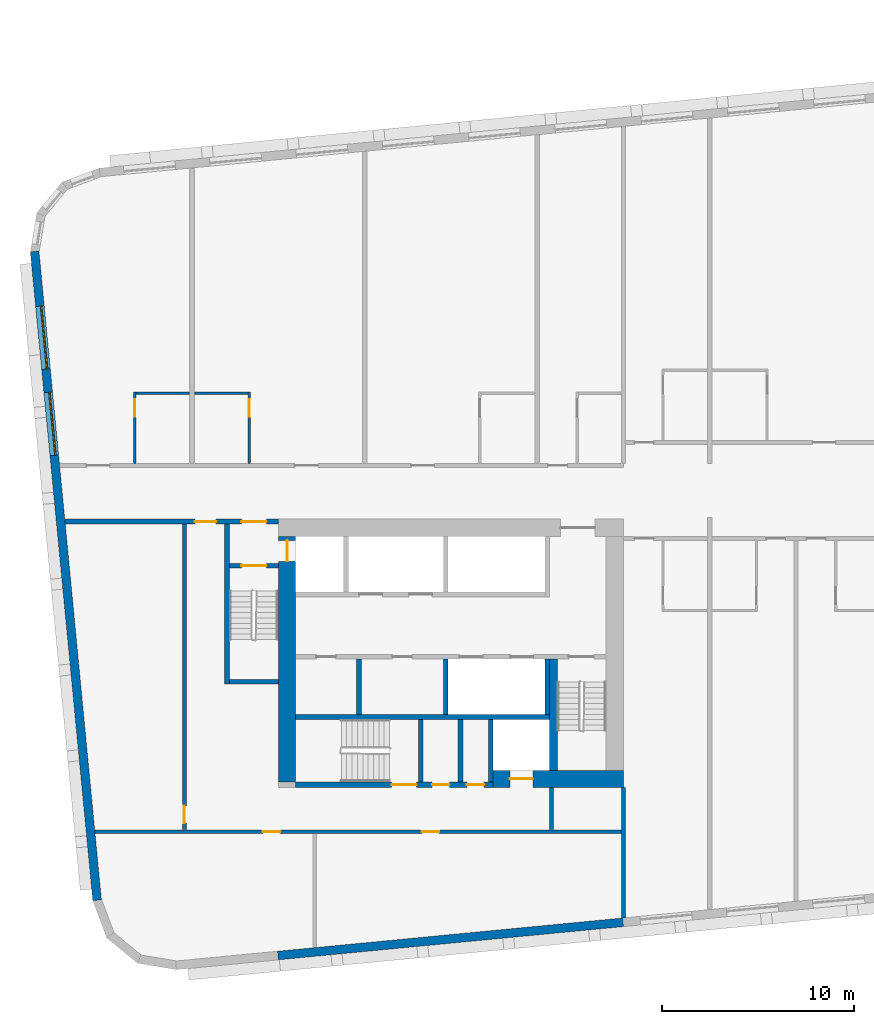
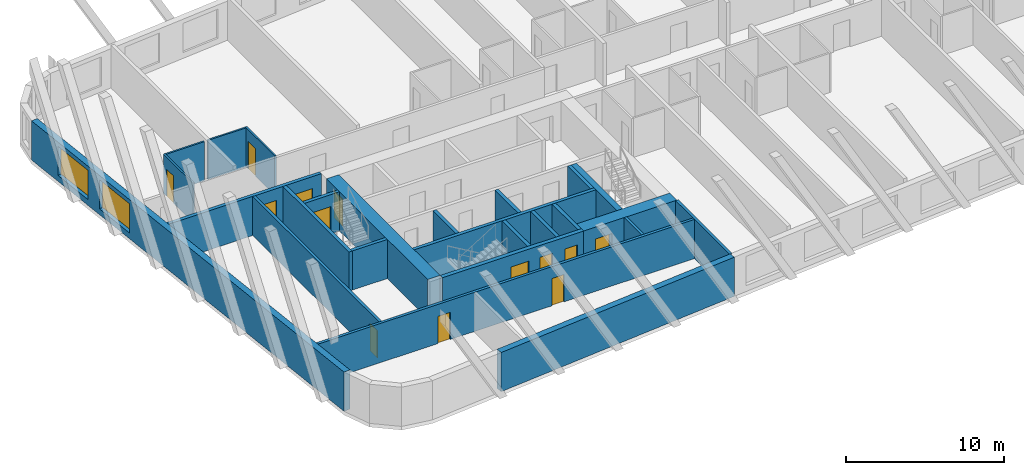
# One storey, part 2 of 13: 25 walls, 13 doors, 2 windows, 15 openings.
"""IFC4 building model written with IfcOpenShell, lengths in metres."""

from ifc_helpers import new_model, si_unit, direction, frame, frame_2d, origin, place, context, subcontext, project, spatial, rectangle, extrude, material, layer, layer_set, type_object, element, fill, save


model = new_model("IFC4")

# Units and contexts
model_context = context("Model", 3, precision=1e-05, world=origin(), true_north=direction((0.0, 1.0)))
body_context = subcontext(model_context, "Body", "Model", "MODEL_VIEW")
ifc_project = project(units=[si_unit("LENGTHUNIT", "METRE"), si_unit("AREAUNIT", "SQUARE_METRE"), si_unit("VOLUMEUNIT", "CUBIC_METRE"), si_unit("PLANEANGLEUNIT", "RADIAN"), si_unit("MASSUNIT", "GRAM", prefix="KILO")], contexts=[model_context])

# Site, building, storey
site_placement = place(None, origin())
site = spatial("IfcSite", under=ifc_project, at=site_placement, CompositionType="ELEMENT")
building_placement = place(site_placement, origin())
building = spatial("IfcBuilding", under=site, at=building_placement, Name="Kajstack Hotel Tower", CompositionType="ELEMENT")
storey_placement = place(building_placement, frame((0.0, 0.0, 186.699951171875)))
storey = spatial("IfcBuildingStorey", under=building, at=storey_placement, Name="L44", CompositionType="ELEMENT", Elevation=186.699951171875)

# Wall, opening, door
ifc_material_1 = material(Name="Concrete C60/75", Category="concrete")
ifc_layer_1 = layer(ifc_material_1, 0.89990234375)
ifc_layer_set_1 = layer_set([ifc_layer_1], Name="Core wall 900")
wall_type_1 = type_object("IfcWallType", Name="Core wall 900", PredefinedType="SHEAR", material=ifc_layer_set_1)
wall_1_placement = place(storey_placement, frame((-20.300048828125, -15.050048828125, 0.0), z_axis=(0.0, 0.0, 1.0), x_axis=(1.0, 0.0, 0.0)))
wall_1 = element("IfcWall", 1, at=wall_1_placement, inside=storey, type_object=wall_type_1, Name="Core wall W RS", PredefinedType="SHEAR", context=body_context, shape_type="SweptSolid", body=[
    extrude(rectangle(XDim=6.800048828125, YDim=0.89990234375, at=frame_2d((3.39990234375, 0.0))), origin(), (0.0, 0.0, 1.0), 3.02001953125),
])
opening_1_placement = place(wall_1_placement, frame((0.875, 0.0, 0.0)))
opening_1 = element("IfcOpeningElement", 2, at=opening_1_placement, cuts=wall_1, Name="Opening LD-SV1", PredefinedType="OPENING", context=body_context, shape_type="SweptSolid", body=[
    extrude(rectangle(XDim=1.199951171875, YDim=2.10009765625, at=frame_2d((0.60009765625, 1.050048828125))), frame((0.0, 0.4599609375, 0.0), z_axis=(0.0, -1.0, 0.0), x_axis=(1.0, 0.0, 0.0)), (0.0, 0.0, 1.0), 0.919921875),
])
ifc_material_2 = material(Name="Stainless steel", Category="steel")
door_type_1 = type_object("IfcDoorType", Name="Lift landing door 1200", OperationType="SLIDING_TO_LEFT", PredefinedType="DOOR", material=ifc_material_2)
door_1_placement = place(opening_1_placement, origin())
door_1 = element("IfcDoor", 3, at=door_1_placement, inside=storey, type_object=door_type_1, Name="Landing door SV1", OperationType="SLIDING_TO_LEFT", OverallHeight=2.10009765625, OverallWidth=1.199951171875, PredefinedType="DOOR", context=body_context, shape_type="SweptSolid", body=[
    extrude(rectangle(XDim=1.199951171875, YDim=2.10009765625, at=frame_2d((0.60009765625, 1.050048828125))), frame((0.0, 0.02490234375, 0.0), z_axis=(0.0, -1.0, 0.0), x_axis=(1.0, 0.0, 0.0)), (0.0, 0.0, 1.0), 0.050048828125),
])
fill(opening_1, door_1)

wall_2_placement = place(storey_placement, frame((-31.050048828125, -15.199951171875, 0.0), z_axis=(0.0, 0.0, 1.0), x_axis=(0.0, 1.0, 0.0)))
wall_2 = element("IfcWall", 4, at=wall_2_placement, inside=storey, type_object=wall_type_1, Name="Core wall W RW", PredefinedType="SHEAR", context=body_context, shape_type="SweptSolid", body=[
    extrude(rectangle(XDim=12.800048828125, YDim=0.89990234375, at=frame_2d((6.39990234375, 0.0))), origin(), (0.0, 0.0, 1.0), 3.02001953125),
])
opening_2_placement = place(wall_2_placement, frame((11.5, 0.0, 0.0)))
opening_2 = element("IfcOpeningElement", 5, at=opening_2_placement, cuts=wall_2, Name="Opening LD-FF1", PredefinedType="OPENING", context=body_context, shape_type="SweptSolid", body=[
    extrude(rectangle(XDim=1.10009765625, YDim=2.10009765625, at=frame_2d((0.550048828125, 1.050048828125))), frame((0.0, 0.4599609375, 0.0), z_axis=(0.0, -1.0, 0.0), x_axis=(1.0, 0.0, 0.0)), (0.0, 0.0, 1.0), 0.919921875),
])
door_type_2 = type_object("IfcDoorType", Name="Fire-fighting lift landing door 1100", OperationType="SLIDING_TO_LEFT", PredefinedType="DOOR", material=ifc_material_2)
door_2_placement = place(opening_2_placement, origin())
door_2 = element("IfcDoor", 6, at=door_2_placement, inside=storey, type_object=door_type_2, Name="Landing door FF1", OperationType="SLIDING_TO_RIGHT", OverallHeight=2.10009765625, OverallWidth=1.10009765625, PredefinedType="DOOR", context=body_context, shape_type="SweptSolid", body=[
    extrude(rectangle(XDim=1.10009765625, YDim=2.10009765625, at=frame_2d((0.550048828125, 1.050048828125))), frame((0.0, 0.02490234375, 0.0), z_axis=(0.0, -1.0, 0.0), x_axis=(1.0, 0.0, 0.0)), (0.0, 0.0, 1.0), 0.050048828125),
])
fill(opening_2, door_2)

# Walls
ifc_material_3 = material(Name="Twin-frame gypsum board on steel studs, mineral wool", Category="steel")
ifc_layer_2 = layer(ifc_material_3, 0.199951171875)
ifc_layer_set_2 = layer_set([ifc_layer_2], Name="Demising wall 200")
wall_type_2 = type_object("IfcWallType", Name="Demising wall 200", PredefinedType="PARTITIONING", material=ifc_layer_set_2)
wall_3_placement = place(storey_placement, frame((-13.5, -22.300048828125, 0.0), z_axis=(0.0, 0.0, 1.0), x_axis=(0.0, 1.0, 0.0)))
element("IfcWall", 7, at=wall_3_placement, inside=storey, type_object=wall_type_2, Name="G-wall-L44-002", PredefinedType="PARTITIONING", context=body_context, shape_type="SweptSolid", body=[
    extrude(rectangle(XDim=6.800048828125, YDim=0.199951171875, at=frame_2d((3.39990234375, 0.0))), origin(), (0.0, 0.0, 1.0), 3.02001953125),
])
ifc_material_4 = material(Name="Concrete C40/50", Category="concrete")
ifc_layer_3 = layer(ifc_material_4, 0.449951171875)
ifc_layer_set_3 = layer_set([ifc_layer_3], Name="EW-CORE")
wall_type_3 = type_object("IfcWallType", Name="EW-CORE", PredefinedType="SOLIDWALL", material=ifc_layer_set_3)
wall_4_placement = place(storey_placement, frame((-31.521484375, -24.26171875, 0.0), z_axis=(0.0, 0.0, 1.0), x_axis=(0.995396454615, 0.095843091245, 0.0)))
element("IfcWall", 8, at=wall_4_placement, inside=storey, type_object=wall_type_3, Name="E-wall-L44-04-01", PredefinedType="SOLIDWALL", context=body_context, shape_type="SweptSolid", body=[
    extrude(rectangle(XDim=18.083251953125, YDim=0.449951171875, at=frame_2d((9.04150390625, 0.0))), origin(), (0.0, 0.0, 1.0), 3.02001953125),
])

# Wall, openings, windows
ifc_material_5 = material(Name="Terracotta-faced brick masonry", Category="masonry")
ifc_layer_4 = layer(ifc_material_5, 0.449951171875)
ifc_layer_set_4 = layer_set([ifc_layer_4], Name="EW-TERRA")
wall_type_4 = type_object("IfcWallType", Name="EW-TERRA", PredefinedType="SOLIDWALL", material=ifc_layer_set_4)
wall_5_placement = place(storey_placement, frame((-44.21435546875, 12.465576171875, 0.0), z_axis=(0.0, 0.0, 1.0), x_axis=(0.095847314626, -0.995396047952, 0.0)))
wall_5 = element("IfcWall", 9, at=wall_5_placement, inside=storey, type_object=wall_type_4, Name="E-wall-L44-00-00", PredefinedType="SOLIDWALL", context=body_context, shape_type="SweptSolid", body=[
    extrude(rectangle(XDim=33.999755859375, YDim=0.449951171875, at=frame_2d((17.0, 0.0))), origin(), (0.0, 0.0, 1.0), 3.02001953125),
])
opening_3_placement = place(wall_5_placement, frame((2.864990234375, 0.0, 0.449951171875)))
opening_3 = element("IfcOpeningElement", 10, at=opening_3_placement, cuts=wall_5, Name="Opening W2", PredefinedType="OPENING", context=body_context, shape_type="SweptSolid", body=[
    extrude(rectangle(XDim=3.300048828125, YDim=2.25, at=frame_2d((1.64990234375, 1.125))), frame((0.0, 0.23486328125, 0.0), z_axis=(0.0, -1.0, 0.0), x_axis=(1.0, 0.0, 0.0)), (0.0, 0.0, 1.0), 0.469970703125),
])
opening_4_placement = place(wall_5_placement, frame((7.3857421875, 0.0, 0.449951171875)))
opening_4 = element("IfcOpeningElement", 11, at=opening_4_placement, cuts=wall_5, Name="Opening W2", PredefinedType="OPENING", context=body_context, shape_type="SweptSolid", body=[
    extrude(rectangle(XDim=3.300048828125, YDim=2.25, at=frame_2d((1.64990234375, 1.125))), frame((0.0, 0.23486328125, 0.0), z_axis=(0.0, -1.0, 0.0), x_axis=(1.0, 0.0, 0.0)), (0.0, 0.0, 1.0), 0.469970703125),
])
ifc_material_6 = material(Name="Timber-aluminium window, triple glazed", Category="wood")
window_type = type_object("IfcWindowType", Name="WG2", PartitioningType="SINGLE_PANEL", PredefinedType="WINDOW", material=ifc_material_6)
window_1_placement = place(opening_3_placement, origin())
window_1 = element("IfcWindow", 12, at=window_1_placement, inside=storey, type_object=window_type, Name="Window W2 L44-00", OverallHeight=2.25, OverallWidth=3.300048828125, PartitioningType="SINGLE_PANEL", PredefinedType="WINDOW", context=body_context, shape_type="SweptSolid", body=[
    extrude(rectangle(XDim=3.300048828125, YDim=2.25, at=frame_2d((1.64990234375, 1.125))), frame((0.0, 0.090087890625, 0.0), z_axis=(0.0, -1.0, 0.0), x_axis=(1.0, 0.0, 0.0)), (0.0, 0.0, 1.0), 0.06005859375),
])
fill(opening_3, window_1)
window_2_placement = place(opening_4_placement, origin())
window_2 = element("IfcWindow", 13, at=window_2_placement, inside=storey, type_object=window_type, Name="Window W2 L44-00", OverallHeight=2.25, OverallWidth=3.300048828125, PartitioningType="SINGLE_PANEL", PredefinedType="WINDOW", context=body_context, shape_type="SweptSolid", body=[
    extrude(rectangle(XDim=3.300048828125, YDim=2.25, at=frame_2d((1.64990234375, 1.125))), frame((0.0, 0.090087890625, 0.0), z_axis=(0.0, -1.0, 0.0), x_axis=(1.0, 0.0, 0.0)), (0.0, 0.0, 1.0), 0.06005859375),
])
fill(opening_4, window_2)

# Wall, opening, door
ifc_material_7 = material(Name="Gypsum board and tiled backer on steel studs", Category="steel")
ifc_layer_5 = layer(ifc_material_7, 0.125)
ifc_layer_set_5 = layer_set([ifc_layer_5], Name="En-suite wall 125")
wall_type_5 = type_object("IfcWallType", Name="En-suite wall 125", PredefinedType="PARTITIONING", material=ifc_layer_set_5)
wall_6_placement = place(storey_placement, frame((-38.987060546875, 1.39990234375, 0.0), z_axis=(0.0, 0.0, 1.0), x_axis=(0.0, 1.0, 0.0)))
wall_6 = element("IfcWall", 14, at=wall_6_placement, inside=storey, type_object=wall_type_5, Name="G-wall-L44-005", PredefinedType="PARTITIONING", context=body_context, shape_type="SweptSolid", body=[
    extrude(rectangle(XDim=3.72509765625, YDim=0.125, at=frame_2d((1.862548828125, 0.0))), origin(), (0.0, 0.0, 1.0), 3.02001953125),
])
opening_5_placement = place(wall_6_placement, frame((2.449951171875, 0.0, 0.0)))
opening_5 = element("IfcOpeningElement", 15, at=opening_5_placement, cuts=wall_6, Name="Opening 44002", PredefinedType="OPENING", context=body_context, shape_type="SweptSolid", body=[
    extrude(rectangle(XDim=0.89990234375, YDim=2.10009765625, at=frame_2d((0.449951171875, 1.050048828125))), frame((0.0, 0.072509765625, 0.0), z_axis=(0.0, -1.0, 0.0), x_axis=(1.0, 0.0, 0.0)), (0.0, 0.0, 1.0), 0.14501953125),
])
ifc_material_8 = material(Name="Painted timber door leaf", Category="wood")
door_type_3 = type_object("IfcDoorType", Name="Room door 900", OperationType="SINGLE_SWING_LEFT", PredefinedType="DOOR", material=ifc_material_8)
door_3_placement = place(opening_5_placement, origin())
door_3 = element("IfcDoor", 16, at=door_3_placement, inside=storey, type_object=door_type_3, Name="G-door-L44-02", OperationType="SINGLE_SWING_RIGHT", OverallHeight=2.10009765625, OverallWidth=0.89990234375, PredefinedType="DOOR", context=body_context, shape_type="SweptSolid", body=[
    extrude(rectangle(XDim=0.89990234375, YDim=2.10009765625, at=frame_2d((0.449951171875, 1.050048828125))), frame((0.0, 0.02490234375, 0.0), z_axis=(0.0, -1.0, 0.0), x_axis=(1.0, 0.0, 0.0)), (0.0, 0.0, 1.0), 0.050048828125),
])
fill(opening_5, door_3)

# Wall
wall_7_placement = place(storey_placement, frame((-38.925048828125, 5.06201171875, 0.0), z_axis=(0.0, 0.0, 1.0), x_axis=(1.0, 0.0, 0.0)))
element("IfcWall", 17, at=wall_7_placement, inside=storey, type_object=wall_type_5, Name="G-wall-L44-006", PredefinedType="PARTITIONING", context=body_context, shape_type="SweptSolid", body=[
    extrude(rectangle(XDim=2.800048828125, YDim=0.125, at=frame_2d((1.39990234375, 0.0))), origin(), (0.0, 0.0, 1.0), 3.02001953125),
])

# Wall, opening, door
wall_8_placement = place(storey_placement, frame((-33.012939453125, 1.39990234375, 0.0), z_axis=(0.0, 0.0, 1.0), x_axis=(0.0, 1.0, 0.0)))
wall_8 = element("IfcWall", 18, at=wall_8_placement, inside=storey, type_object=wall_type_5, Name="G-wall-L44-007", PredefinedType="PARTITIONING", context=body_context, shape_type="SweptSolid", body=[
    extrude(rectangle(XDim=3.72509765625, YDim=0.125, at=frame_2d((1.862548828125, 0.0))), origin(), (0.0, 0.0, 1.0), 3.02001953125),
])
opening_6_placement = place(wall_8_placement, frame((2.449951171875, 0.0, 0.0)))
opening_6 = element("IfcOpeningElement", 19, at=opening_6_placement, cuts=wall_8, Name="Opening 44004", PredefinedType="OPENING", context=body_context, shape_type="SweptSolid", body=[
    extrude(rectangle(XDim=0.89990234375, YDim=2.10009765625, at=frame_2d((0.449951171875, 1.050048828125))), frame((0.0, 0.072509765625, 0.0), z_axis=(0.0, -1.0, 0.0), x_axis=(1.0, 0.0, 0.0)), (0.0, 0.0, 1.0), 0.14501953125),
])
door_4_placement = place(opening_6_placement, origin())
door_4 = element("IfcDoor", 20, at=door_4_placement, inside=storey, type_object=door_type_3, Name="G-door-L44-04", OperationType="SINGLE_SWING_RIGHT", OverallHeight=2.10009765625, OverallWidth=0.89990234375, PredefinedType="DOOR", context=body_context, shape_type="SweptSolid", body=[
    extrude(rectangle(XDim=0.89990234375, YDim=2.10009765625, at=frame_2d((0.449951171875, 1.050048828125))), frame((0.0, 0.02490234375, 0.0), z_axis=(0.0, -1.0, 0.0), x_axis=(1.0, 0.0, 0.0)), (0.0, 0.0, 1.0), 0.050048828125),
])
fill(opening_6, door_4)

# Walls
wall_9_placement = place(storey_placement, frame((-35.875, 5.06201171875, 0.0), z_axis=(0.0, 0.0, 1.0), x_axis=(1.0, 0.0, 0.0)))
element("IfcWall", 21, at=wall_9_placement, inside=storey, type_object=wall_type_5, Name="G-wall-L44-008", PredefinedType="PARTITIONING", context=body_context, shape_type="SweptSolid", body=[
    extrude(rectangle(XDim=2.800048828125, YDim=0.125, at=frame_2d((1.39990234375, 0.0))), origin(), (0.0, 0.0, 1.0), 3.02001953125),
])
ifc_material_9 = material(Name="Concrete C50/60", Category="concrete")
ifc_layer_6 = layer(ifc_material_9, 0.300048828125)
ifc_layer_set_6 = layer_set([ifc_layer_6], Name="Hoistway divider wall 300")
wall_type_6 = type_object("IfcWallType", Name="Hoistway divider wall 300", PredefinedType="SHEAR", material=ifc_layer_set_6)
wall_10_placement = place(storey_placement, frame((-22.77490234375, -11.699951171875, 0.0), z_axis=(0.0, 0.0, 1.0), x_axis=(0.0, 1.0, 0.0)))
element("IfcWall", 22, at=wall_10_placement, inside=storey, type_object=wall_type_6, Name="Core wall W BP2", PredefinedType="SHEAR", context=body_context, shape_type="SweptSolid", body=[
    extrude(rectangle(XDim=2.89990234375, YDim=0.25, at=frame_2d((1.449951171875, 0.0))), origin(), (0.0, 0.0, 1.0), 3.02001953125),
])
ifc_material_10 = material(Name="Concrete block masonry", Category="masonry")
ifc_layer_7 = layer(ifc_material_10, 0.25)
ifc_layer_set_7 = layer_set([ifc_layer_7], Name="Riser partition 250")
wall_type_7 = type_object("IfcWallType", Name="Riser partition 250", PredefinedType="PARTITIONING", material=ifc_layer_set_7)
wall_11_placement = place(storey_placement, frame((-27.300048828125, -11.699951171875, 0.0), z_axis=(0.0, 0.0, 1.0), x_axis=(0.0, 1.0, 0.0)))
element("IfcWall", 23, at=wall_11_placement, inside=storey, type_object=wall_type_7, Name="Partition W BF0", PredefinedType="PARTITIONING", context=body_context, shape_type="SweptSolid", body=[
    extrude(rectangle(XDim=2.89990234375, YDim=0.25, at=frame_2d((1.449951171875, 0.0))), origin(), (0.0, 0.0, 1.0), 3.02001953125),
])
wall_12_placement = place(storey_placement, frame((-22.0, -15.199951171875, 0.0), z_axis=(0.0, 0.0, 1.0), x_axis=(0.0, 1.0, 0.0)))
element("IfcWall", 24, at=wall_12_placement, inside=storey, type_object=wall_type_7, Name="Partition W SZ0", PredefinedType="PARTITIONING", context=body_context, shape_type="SweptSolid", body=[
    extrude(rectangle(XDim=3.25, YDim=0.25, at=frame_2d((1.625, 0.0))), origin(), (0.0, 0.0, 1.0), 3.02001953125),
])

# Wall, openings, doors
ifc_material_11 = material(Name="Gypsum board on steel studs, mineral wool", Category="steel")
ifc_layer_8 = layer(ifc_material_11, 0.199951171875)
ifc_layer_set_8 = layer_set([ifc_layer_8], Name="Service partition 200")
wall_type_8 = type_object("IfcWallType", Name="Service partition 200", PredefinedType="PARTITIONING", material=ifc_layer_set_8)
wall_13_placement = place(storey_placement, frame((-42.631591796875, -1.625, 0.0), z_axis=(0.0, 0.0, 1.0), x_axis=(1.0, 0.0, 0.0)))
wall_13 = element("IfcWall", 25, at=wall_13_placement, inside=storey, type_object=wall_type_8, Name="Partition W SN", PredefinedType="PARTITIONING", context=body_context, shape_type="SweptSolid", body=[
    extrude(rectangle(XDim=11.131591796875, YDim=0.25, at=frame_2d((5.56591796875, 0.0))), origin(), (0.0, 0.0, 1.0), 3.02001953125),
])
opening_7_placement = place(wall_13_placement, frame((9.20654296875, 0.0, 0.0)))
opening_7 = element("IfcOpeningElement", 26, at=opening_7_placement, cuts=wall_13, Name="Opening 44W08", PredefinedType="OPENING", context=body_context, shape_type="SweptSolid", body=[
    extrude(rectangle(XDim=1.300048828125, YDim=2.10009765625, at=frame_2d((0.64990234375, 1.050048828125))), frame((0.0, 0.135009765625, 0.0), z_axis=(0.0, -1.0, 0.0), x_axis=(1.0, 0.0, 0.0)), (0.0, 0.0, 1.0), 0.27001953125),
])
opening_8_placement = place(wall_13_placement, frame((6.781494140625, 0.0, 0.0)))
opening_8 = element("IfcOpeningElement", 27, at=opening_8_placement, cuts=wall_13, Name="Opening 44W10", PredefinedType="OPENING", context=body_context, shape_type="SweptSolid", body=[
    extrude(rectangle(XDim=1.10009765625, YDim=2.10009765625, at=frame_2d((0.550048828125, 1.050048828125))), frame((0.0, 0.135009765625, 0.0), z_axis=(0.0, -1.0, 0.0), x_axis=(1.0, 0.0, 0.0)), (0.0, 0.0, 1.0), 0.27001953125),
])
ifc_material_12 = material(Name="Steel leaf, fire-rated", Category="steel")
door_type_4 = type_object("IfcDoorType", Name="Fire lobby door 1300", OperationType="SINGLE_SWING_LEFT", PredefinedType="DOOR", material=ifc_material_12)
door_5_placement = place(opening_7_placement, origin())
door_5 = element("IfcDoor", 28, at=door_5_placement, inside=storey, type_object=door_type_4, Name="Door 44W08", OperationType="SINGLE_SWING_RIGHT", OverallHeight=2.10009765625, OverallWidth=1.300048828125, PredefinedType="DOOR", context=body_context, shape_type="SweptSolid", body=[
    extrude(rectangle(XDim=1.300048828125, YDim=2.10009765625, at=frame_2d((0.64990234375, 1.050048828125))), frame((0.0, 0.02490234375, 0.0), z_axis=(0.0, -1.0, 0.0), x_axis=(1.0, 0.0, 0.0)), (0.0, 0.0, 1.0), 0.050048828125),
])
fill(opening_7, door_5)
ifc_material_13 = material(Name="Timber leaf, fire-rated", Category="wood")
door_type_5 = type_object("IfcDoorType", Name="Service corridor door 1100", OperationType="SINGLE_SWING_LEFT", PredefinedType="DOOR", material=ifc_material_13)
door_6_placement = place(opening_8_placement, origin())
door_6 = element("IfcDoor", 29, at=door_6_placement, inside=storey, type_object=door_type_5, Name="Door 44W10", OperationType="SINGLE_SWING_RIGHT", OverallHeight=2.10009765625, OverallWidth=1.10009765625, PredefinedType="DOOR", context=body_context, shape_type="SweptSolid", body=[
    extrude(rectangle(XDim=1.10009765625, YDim=2.10009765625, at=frame_2d((0.550048828125, 1.050048828125))), frame((0.0, 0.02490234375, 0.0), z_axis=(0.0, -1.0, 0.0), x_axis=(1.0, 0.0, 0.0)), (0.0, 0.0, 1.0), 0.050048828125),
])
fill(opening_8, door_6)

# Wall
wall_14_placement = place(storey_placement, frame((-17.25, -17.699951171875, 0.0), z_axis=(0.0, 0.0, 1.0), x_axis=(0.0, 1.0, 0.0)))
element("IfcWall", 30, at=wall_14_placement, inside=storey, type_object=wall_type_8, Name="Partition W SCE", PredefinedType="PARTITIONING", context=body_context, shape_type="SweptSolid", body=[
    extrude(rectangle(XDim=2.199951171875, YDim=0.199951171875, at=frame_2d((1.10009765625, 0.0))), origin(), (0.0, 0.0, 1.0), 3.02001953125),
])

# Wall, opening, door
wall_15_placement = place(storey_placement, frame((-36.39990234375, -17.699951171875, 0.0), z_axis=(0.0, 0.0, 1.0), x_axis=(0.0, 1.0, 0.0)))
wall_15 = element("IfcWall", 31, at=wall_15_placement, inside=storey, type_object=wall_type_8, Name="Partition W WRE", PredefinedType="PARTITIONING", context=body_context, shape_type="SweptSolid", body=[
    extrude(rectangle(XDim=15.949951171875, YDim=0.199951171875, at=frame_2d((7.97509765625, 0.0))), origin(), (0.0, 0.0, 1.0), 3.02001953125),
])
opening_9_placement = place(wall_15_placement, frame((0.35009765625, 0.0, 0.0)))
opening_9 = element("IfcOpeningElement", 32, at=opening_9_placement, cuts=wall_15, Name="Opening 44W19", PredefinedType="OPENING", context=body_context, shape_type="SweptSolid", body=[
    extrude(rectangle(XDim=0.89990234375, YDim=2.10009765625, at=frame_2d((0.449951171875, 1.050048828125))), frame((0.0, 0.10986328125, 0.0), z_axis=(0.0, -1.0, 0.0), x_axis=(1.0, 0.0, 0.0)), (0.0, 0.0, 1.0), 0.219970703125),
])
door_type_6 = type_object("IfcDoorType", Name="Service door 900", OperationType="SINGLE_SWING_LEFT", PredefinedType="DOOR", material=ifc_material_13)
door_7_placement = place(opening_9_placement, origin())
door_7 = element("IfcDoor", 33, at=door_7_placement, inside=storey, type_object=door_type_6, Name="Door 44W19", OperationType="SINGLE_SWING_LEFT", OverallHeight=2.10009765625, OverallWidth=0.89990234375, PredefinedType="DOOR", context=body_context, shape_type="SweptSolid", body=[
    extrude(rectangle(XDim=0.89990234375, YDim=2.10009765625, at=frame_2d((0.449951171875, 1.050048828125))), frame((0.0, 0.02490234375, 0.0), z_axis=(0.0, -1.0, 0.0), x_axis=(1.0, 0.0, 0.0)), (0.0, 0.0, 1.0), 0.050048828125),
])
fill(opening_9, door_7)

# Wall, openings, doors
wall_16_placement = place(storey_placement, frame((-41.07421875, -17.800048828125, 0.0), z_axis=(0.0, 0.0, 1.0), x_axis=(1.0, 0.0, 0.0)))
wall_16 = element("IfcWall", 34, at=wall_16_placement, inside=storey, type_object=wall_type_8, Name="Partition W SLN", PredefinedType="PARTITIONING", context=body_context, shape_type="SweptSolid", body=[
    extrude(rectangle(XDim=27.47412109375, YDim=0.199951171875, at=frame_2d((13.737060546875, 0.0))), origin(), (0.0, 0.0, 1.0), 3.02001953125),
])
opening_10_placement = place(wall_16_placement, frame((8.76171875, 0.0, 0.0)))
opening_10 = element("IfcOpeningElement", 35, at=opening_10_placement, cuts=wall_16, Name="Opening 44W17", PredefinedType="OPENING", context=body_context, shape_type="SweptSolid", body=[
    extrude(rectangle(XDim=0.89990234375, YDim=2.10009765625, at=frame_2d((0.449951171875, 1.050048828125))), frame((0.0, 0.10986328125, 0.0), z_axis=(0.0, -1.0, 0.0), x_axis=(1.0, 0.0, 0.0)), (0.0, 0.0, 1.0), 0.219970703125),
])
opening_11_placement = place(wall_16_placement, frame((17.0615234375, 0.0, 0.0)))
opening_11 = element("IfcOpeningElement", 36, at=opening_11_placement, cuts=wall_16, Name="Opening 44W18", PredefinedType="OPENING", context=body_context, shape_type="SweptSolid", body=[
    extrude(rectangle(XDim=0.89990234375, YDim=2.10009765625, at=frame_2d((0.449951171875, 1.050048828125))), frame((0.0, 0.10986328125, 0.0), z_axis=(0.0, -1.0, 0.0), x_axis=(1.0, 0.0, 0.0)), (0.0, 0.0, 1.0), 0.219970703125),
])
door_8_placement = place(opening_10_placement, origin())
door_8 = element("IfcDoor", 37, at=door_8_placement, inside=storey, type_object=door_type_6, Name="Door 44W17", OperationType="SINGLE_SWING_RIGHT", OverallHeight=2.10009765625, OverallWidth=0.89990234375, PredefinedType="DOOR", context=body_context, shape_type="SweptSolid", body=[
    extrude(rectangle(XDim=0.89990234375, YDim=2.10009765625, at=frame_2d((0.449951171875, 1.050048828125))), frame((0.0, 0.02490234375, 0.0), z_axis=(0.0, -1.0, 0.0), x_axis=(1.0, 0.0, 0.0)), (0.0, 0.0, 1.0), 0.050048828125),
])
fill(opening_10, door_8)
door_9_placement = place(opening_11_placement, origin())
door_9 = element("IfcDoor", 38, at=door_9_placement, inside=storey, type_object=door_type_6, Name="Door 44W18", OperationType="SINGLE_SWING_RIGHT", OverallHeight=2.10009765625, OverallWidth=0.89990234375, PredefinedType="DOOR", context=body_context, shape_type="SweptSolid", body=[
    extrude(rectangle(XDim=0.89990234375, YDim=2.10009765625, at=frame_2d((0.449951171875, 1.050048828125))), frame((0.0, 0.02490234375, 0.0), z_axis=(0.0, -1.0, 0.0), x_axis=(1.0, 0.0, 0.0)), (0.0, 0.0, 1.0), 0.050048828125),
])
fill(opening_11, door_9)

ifc_layer_9 = layer(ifc_material_9, 0.25)
ifc_layer_set_9 = layer_set([ifc_layer_9], Name="Shaft wall 250")
wall_type_9 = type_object("IfcWallType", Name="Shaft wall 250", PredefinedType="SHEAR", material=ifc_layer_set_9)
wall_17_placement = place(storey_placement, frame((-30.60009765625, -15.35009765625, 0.0), z_axis=(0.0, 0.0, 1.0), x_axis=(1.0, 0.0, 0.0)))
wall_17 = element("IfcWall", 39, at=wall_17_placement, inside=storey, type_object=wall_type_9, Name="Core wall W RSS", PredefinedType="SHEAR", context=body_context, shape_type="SweptSolid", body=[
    extrude(rectangle(XDim=10.300048828125, YDim=0.300048828125, at=frame_2d((5.14990234375, 0.0))), origin(), (0.0, 0.0, 1.0), 3.02001953125),
])
opening_12_placement = place(wall_17_placement, frame((5.0, 0.0, 0.0)))
opening_12 = element("IfcOpeningElement", 40, at=opening_12_placement, cuts=wall_17, Name="Opening 44W12", PredefinedType="OPENING", context=body_context, shape_type="SweptSolid", body=[
    extrude(rectangle(XDim=1.300048828125, YDim=2.10009765625, at=frame_2d((0.64990234375, 1.050048828125))), frame((0.0, 0.159912109375, 0.0), z_axis=(0.0, -1.0, 0.0), x_axis=(1.0, 0.0, 0.0)), (0.0, 0.0, 1.0), 0.320068359375),
])
opening_13_placement = place(wall_17_placement, frame((7.112548828125, 0.0, 0.0)))
opening_13 = element("IfcOpeningElement", 41, at=opening_13_placement, cuts=wall_17, Name="Opening 44W13", PredefinedType="OPENING", context=body_context, shape_type="SweptSolid", body=[
    extrude(rectangle(XDim=0.89990234375, YDim=2.10009765625, at=frame_2d((0.449951171875, 1.050048828125))), frame((0.0, 0.159912109375, 0.0), z_axis=(0.0, -1.0, 0.0), x_axis=(1.0, 0.0, 0.0)), (0.0, 0.0, 1.0), 0.320068359375),
])
opening_14_placement = place(wall_17_placement, frame((8.9375, 0.0, 0.0)))
opening_14 = element("IfcOpeningElement", 42, at=opening_14_placement, cuts=wall_17, Name="Opening 44W14", PredefinedType="OPENING", context=body_context, shape_type="SweptSolid", body=[
    extrude(rectangle(XDim=0.89990234375, YDim=2.10009765625, at=frame_2d((0.449951171875, 1.050048828125))), frame((0.0, 0.159912109375, 0.0), z_axis=(0.0, -1.0, 0.0), x_axis=(1.0, 0.0, 0.0)), (0.0, 0.0, 1.0), 0.320068359375),
])
door_10_placement = place(opening_13_placement, origin())
door_10 = element("IfcDoor", 43, at=door_10_placement, inside=storey, type_object=door_type_6, Name="Door 44W13", OperationType="SINGLE_SWING_LEFT", OverallHeight=2.10009765625, OverallWidth=0.89990234375, PredefinedType="DOOR", context=body_context, shape_type="SweptSolid", body=[
    extrude(rectangle(XDim=0.89990234375, YDim=2.10009765625, at=frame_2d((0.449951171875, 1.050048828125))), frame((0.0, 0.02490234375, 0.0), z_axis=(0.0, -1.0, 0.0), x_axis=(1.0, 0.0, 0.0)), (0.0, 0.0, 1.0), 0.050048828125),
])
fill(opening_13, door_10)
door_11_placement = place(opening_14_placement, origin())
door_11 = element("IfcDoor", 44, at=door_11_placement, inside=storey, type_object=door_type_6, Name="Door 44W14", OperationType="SINGLE_SWING_LEFT", OverallHeight=2.10009765625, OverallWidth=0.89990234375, PredefinedType="DOOR", context=body_context, shape_type="SweptSolid", body=[
    extrude(rectangle(XDim=0.89990234375, YDim=2.10009765625, at=frame_2d((0.449951171875, 1.050048828125))), frame((0.0, 0.02490234375, 0.0), z_axis=(0.0, -1.0, 0.0), x_axis=(1.0, 0.0, 0.0)), (0.0, 0.0, 1.0), 0.050048828125),
])
fill(opening_14, door_11)
door_type_7 = type_object("IfcDoorType", Name="Stair door 1300", OperationType="SINGLE_SWING_LEFT", PredefinedType="DOOR", material=ifc_material_12)
door_12_placement = place(opening_12_placement, origin())
door_12 = element("IfcDoor", 45, at=door_12_placement, inside=storey, type_object=door_type_7, Name="Door 44W12", OperationType="SINGLE_SWING_RIGHT", OverallHeight=2.10009765625, OverallWidth=1.300048828125, PredefinedType="DOOR", context=body_context, shape_type="SweptSolid", body=[
    extrude(rectangle(XDim=1.300048828125, YDim=2.10009765625, at=frame_2d((0.64990234375, 1.050048828125))), frame((0.0, 0.02490234375, 0.0), z_axis=(0.0, -1.0, 0.0), x_axis=(1.0, 0.0, 0.0)), (0.0, 0.0, 1.0), 0.050048828125),
])
fill(opening_12, door_12)

# Walls
wall_18_placement = place(storey_placement, frame((-30.60009765625, -11.824951171875, 0.0), z_axis=(0.0, 0.0, 1.0), x_axis=(1.0, 0.0, 0.0)))
element("IfcWall", 46, at=wall_18_placement, inside=storey, type_object=wall_type_9, Name="Core wall W RB", PredefinedType="SHEAR", context=body_context, shape_type="SweptSolid", body=[
    extrude(rectangle(XDim=13.25, YDim=0.25, at=frame_2d((6.625, 0.0))), origin(), (0.0, 0.0, 1.0), 3.02001953125),
])
wall_19_placement = place(storey_placement, frame((-17.47509765625, -11.699951171875, 0.0), z_axis=(0.0, 0.0, 1.0), x_axis=(0.0, 1.0, 0.0)))
element("IfcWall", 47, at=wall_19_placement, inside=storey, type_object=wall_type_9, Name="Core wall W BE", PredefinedType="SHEAR", context=body_context, shape_type="SweptSolid", body=[
    extrude(rectangle(XDim=2.89990234375, YDim=0.25, at=frame_2d((1.449951171875, 0.0))), origin(), (0.0, 0.0, 1.0), 3.02001953125),
])
wall_20_placement = place(storey_placement, frame((-20.425048828125, -15.199951171875, 0.0), z_axis=(0.0, 0.0, 1.0), x_axis=(0.0, 1.0, 0.0)))
element("IfcWall", 48, at=wall_20_placement, inside=storey, type_object=wall_type_9, Name="Core wall W SVW", PredefinedType="SHEAR", context=body_context, shape_type="SweptSolid", body=[
    extrude(rectangle(XDim=3.25, YDim=0.25, at=frame_2d((1.625, 0.0))), origin(), (0.0, 0.0, 1.0), 3.02001953125),
])

# Wall, opening, door
ifc_layer_10 = layer(ifc_material_4, 0.25)
ifc_layer_set_10 = layer_set([ifc_layer_10], Name="Stair enclosure wall 250")
wall_type_10 = type_object("IfcWallType", Name="Stair enclosure wall 250", PredefinedType="SHEAR", material=ifc_layer_set_10)
wall_21_placement = place(storey_placement, frame((-34.050048828125, -3.925048828125, 0.0), z_axis=(0.0, 0.0, 1.0), x_axis=(1.0, 0.0, 0.0)))
wall_21 = element("IfcWall", 49, at=wall_21_placement, inside=storey, type_object=wall_type_10, Name="Core wall W W1N", PredefinedType="SHEAR", context=body_context, shape_type="SweptSolid", body=[
    extrude(rectangle(XDim=2.550048828125, YDim=0.25, at=frame_2d((1.27490234375, 0.0))), origin(), (0.0, 0.0, 1.0), 3.02001953125),
])
opening_15_placement = place(wall_21_placement, frame((0.625, 0.0, 0.0)))
opening_15 = element("IfcOpeningElement", 50, at=opening_15_placement, cuts=wall_21, Name="Opening 44W09", PredefinedType="OPENING", context=body_context, shape_type="SweptSolid", body=[
    extrude(rectangle(XDim=1.300048828125, YDim=2.10009765625, at=frame_2d((0.64990234375, 1.050048828125))), frame((0.0, 0.135009765625, 0.0), z_axis=(0.0, -1.0, 0.0), x_axis=(1.0, 0.0, 0.0)), (0.0, 0.0, 1.0), 0.27001953125),
])
door_13_placement = place(opening_15_placement, origin())
door_13 = element("IfcDoor", 51, at=door_13_placement, inside=storey, type_object=door_type_7, Name="Door 44W09", OperationType="SINGLE_SWING_RIGHT", OverallHeight=2.10009765625, OverallWidth=1.300048828125, PredefinedType="DOOR", context=body_context, shape_type="SweptSolid", body=[
    extrude(rectangle(XDim=1.300048828125, YDim=2.10009765625, at=frame_2d((0.64990234375, 1.050048828125))), frame((0.0, 0.02490234375, 0.0), z_axis=(0.0, -1.0, 0.0), x_axis=(1.0, 0.0, 0.0)), (0.0, 0.0, 1.0), 0.050048828125),
])
fill(opening_15, door_13)

# Walls
wall_22_placement = place(storey_placement, frame((-34.175048828125, -10.10009765625, 0.0), z_axis=(0.0, 0.0, 1.0), x_axis=(0.0, 1.0, 0.0)))
element("IfcWall", 52, at=wall_22_placement, inside=storey, type_object=wall_type_10, Name="Core wall W W1W", PredefinedType="SHEAR", context=body_context, shape_type="SweptSolid", body=[
    extrude(rectangle(XDim=8.35009765625, YDim=0.25, at=frame_2d((4.175048828125, 0.0))), origin(), (0.0, 0.0, 1.0), 3.02001953125),
])
wall_23_placement = place(storey_placement, frame((-34.050048828125, -9.97509765625, 0.0), z_axis=(0.0, 0.0, 1.0), x_axis=(1.0, 0.0, 0.0)))
element("IfcWall", 53, at=wall_23_placement, inside=storey, type_object=wall_type_10, Name="Core wall W W1S", PredefinedType="SHEAR", context=body_context, shape_type="SweptSolid", body=[
    extrude(rectangle(XDim=2.550048828125, YDim=0.25, at=frame_2d((1.27490234375, 0.0))), origin(), (0.0, 0.0, 1.0), 3.02001953125),
])
ifc_layer_11 = layer(ifc_material_9, 0.35009765625)
ifc_layer_set_11 = layer_set([ifc_layer_11], Name="Stair enclosure wall 350")
wall_type_11 = type_object("IfcWallType", Name="Stair enclosure wall 350", PredefinedType="SHEAR", material=ifc_layer_set_11)
wall_24_placement = place(storey_placement, frame((-24.074951171875, -15.199951171875, 0.0), z_axis=(0.0, 0.0, 1.0), x_axis=(0.0, 1.0, 0.0)))
element("IfcWall", 54, at=wall_24_placement, inside=storey, type_object=wall_type_11, Name="Core wall W W3E", PredefinedType="SHEAR", context=body_context, shape_type="SweptSolid", body=[
    extrude(rectangle(XDim=3.25, YDim=0.25, at=frame_2d((1.625, 0.0))), origin(), (0.0, 0.0, 1.0), 3.02001953125),
])
ifc_layer_12 = layer(ifc_material_9, 0.39990234375)
ifc_layer_set_12 = layer_set([ifc_layer_12], Name="Stair wall 400")
wall_type_12 = type_object("IfcWallType", Name="Stair wall 400", PredefinedType="SHEAR", material=ifc_layer_set_12)
wall_25_placement = place(storey_placement, frame((-17.14990234375, -14.60009765625, 0.0), z_axis=(0.0, 0.0, 1.0), x_axis=(0.0, 1.0, 0.0)))
element("IfcWall", 55, at=wall_25_placement, inside=storey, type_object=wall_type_12, Name="Core wall W WW2", PredefinedType="SHEAR", context=body_context, shape_type="SweptSolid", body=[
    extrude(rectangle(XDim=5.800048828125, YDim=0.39990234375, at=frame_2d((2.89990234375, 0.0))), origin(), (0.0, 0.0, 1.0), 3.02001953125),
])

save(model, "model.ifc")
